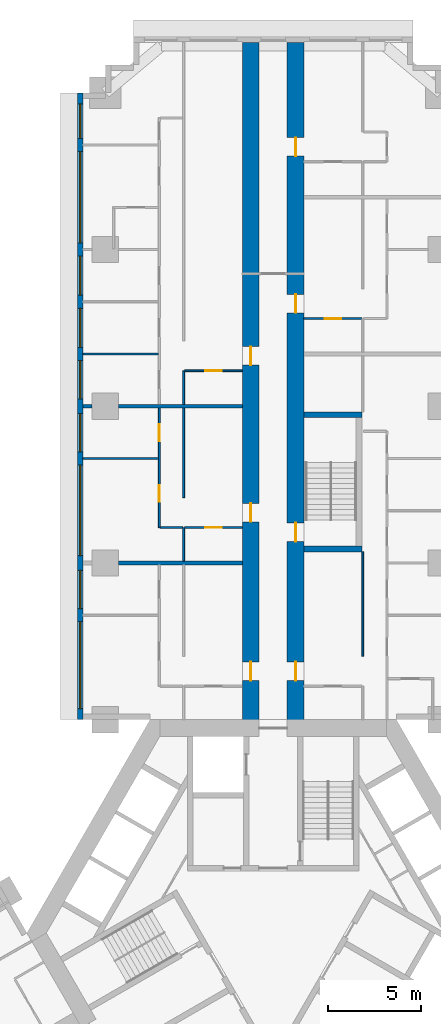
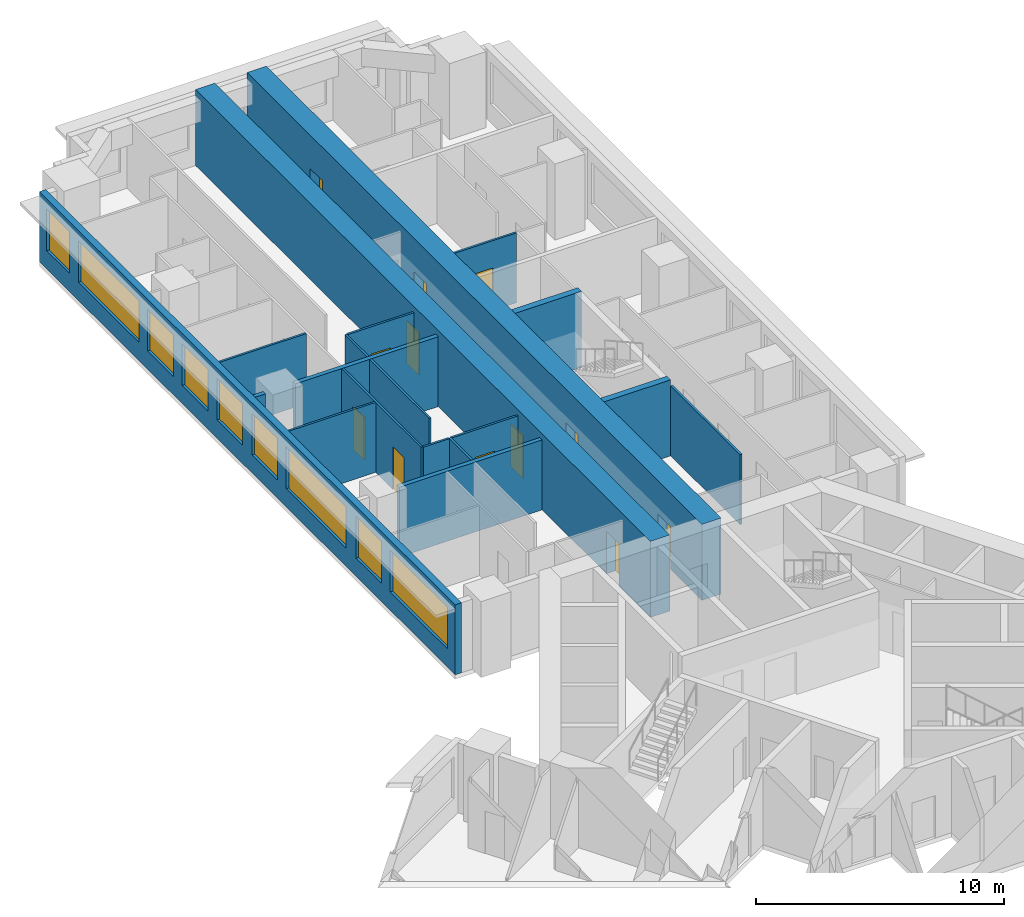
# One storey, part 8 of 14: 19 walls, 12 doors, 9 windows, 21 openings.
"""IFC4 building model written with IfcOpenShell, lengths in metres."""

from ifc_helpers import new_model, si_unit, direction, frame, frame_2d, origin, place, context, subcontext, project, spatial, rectangle, extrude, material, layer, layer_set, type_object, element, fill, save


model = new_model("IFC4")

# Units and contexts
model_context = context("Model", 3, precision=1e-05, world=origin(), true_north=direction((0.0, 1.0)))
body_context = subcontext(model_context, "Body", "Model", "MODEL_VIEW")
ifc_project = project(units=[si_unit("LENGTHUNIT", "METRE"), si_unit("AREAUNIT", "SQUARE_METRE"), si_unit("VOLUMEUNIT", "CUBIC_METRE"), si_unit("PLANEANGLEUNIT", "RADIAN"), si_unit("MASSUNIT", "GRAM", prefix="KILO")], contexts=[model_context])

# Site, building, storey
site_placement = place(None, origin())
site = spatial("IfcSite", under=ifc_project, at=site_placement, CompositionType="ELEMENT")
building_placement = place(site_placement, origin())
building = spatial("IfcBuilding", under=site, at=building_placement, Name="Impinga Residences", CompositionType="ELEMENT")
storey_placement = place(building_placement, frame((0.0, 0.0, 89.75)))
storey = spatial("IfcBuildingStorey", under=building, at=storey_placement, Name="L22", CompositionType="ELEMENT", Elevation=89.75)

# Wall, openings, doors
ifc_material_1 = material(Name="Concrete C70/85", Category="concrete")
ifc_layer_1 = layer(ifc_material_1, 0.89990234375)
ifc_layer_set_1 = layer_set([ifc_layer_1], Name="Concrete C70/85")
wall_type_1 = type_object("IfcWallType", Name="BW1 corridor buttress wall, L05 to L22 900", PredefinedType="SHEAR", material=ifc_layer_set_1)
wall_1_placement = place(storey_placement, frame((-1.199951171875, 10.9814453125, 0.0), z_axis=(0.0, 0.0, 1.0), x_axis=(0.0, 1.0, 0.0)))
wall_1 = element("IfcWall", 1, at=wall_1_placement, inside=storey, type_object=wall_type_1, Name="Corridor wall BW1 NC L22", PredefinedType="SHEAR", context=body_context, shape_type="SweptSolid", body=[
    extrude(rectangle(XDim=36.75, YDim=0.89990234375, at=frame_2d((18.375, 0.0))), origin(), (0.0, 0.0, 1.0), 3.75),
])
opening_1_placement = place(wall_1_placement, frame((2.550048828125, 0.0, 0.0)))
opening_1 = element("IfcOpeningElement", 2, at=opening_1_placement, cuts=wall_1, Name="Opening D1", PredefinedType="OPENING", context=body_context, shape_type="SweptSolid", body=[
    extrude(rectangle(XDim=1.0, YDim=2.10009765625, at=frame_2d((0.5, 1.050048828125))), frame((0.0, 0.4599609375, 0.0), z_axis=(0.0, -1.0, 0.0), x_axis=(1.0, 0.0, 0.0)), (0.0, 0.0, 1.0), 0.919921875),
])
opening_2_placement = place(wall_1_placement, frame((11.050048828125, 0.0, 0.0)))
opening_2 = element("IfcOpeningElement", 3, at=opening_2_placement, cuts=wall_1, Name="Opening D1", PredefinedType="OPENING", context=body_context, shape_type="SweptSolid", body=[
    extrude(rectangle(XDim=1.0, YDim=2.10009765625, at=frame_2d((0.5, 1.050048828125))), frame((0.0, 0.4599609375, 0.0), z_axis=(0.0, -1.0, 0.0), x_axis=(1.0, 0.0, 0.0)), (0.0, 0.0, 1.0), 0.919921875),
])
opening_3_placement = place(wall_1_placement, frame((19.449951171875, 0.0, 0.0)))
opening_3 = element("IfcOpeningElement", 4, at=opening_3_placement, cuts=wall_1, Name="Opening D1", PredefinedType="OPENING", context=body_context, shape_type="SweptSolid", body=[
    extrude(rectangle(XDim=1.0, YDim=2.10009765625, at=frame_2d((0.5, 1.050048828125))), frame((0.0, 0.4599609375, 0.0), z_axis=(0.0, -1.0, 0.0), x_axis=(1.0, 0.0, 0.0)), (0.0, 0.0, 1.0), 0.919921875),
])
ifc_material_2 = material(Name="Timber door set", Category="wood")
door_type_1 = type_object("IfcDoorType", Name="D1 apartment entrance door 1000x2100", OperationType="SINGLE_SWING_LEFT", PredefinedType="DOOR", material=ifc_material_2)
door_1_placement = place(opening_1_placement, origin())
door_1 = element("IfcDoor", 5, at=door_1_placement, inside=storey, type_object=door_type_1, Name="Apartment L22-NA1 entrance", OperationType="SINGLE_SWING_LEFT", OverallHeight=2.10009765625, OverallWidth=1.0, PredefinedType="DOOR", context=body_context, shape_type="SweptSolid", body=[
    extrude(rectangle(XDim=1.0, YDim=2.10009765625, at=frame_2d((0.5, 1.050048828125))), frame((0.0, 0.02490234375, 0.0), z_axis=(0.0, -1.0, 0.0), x_axis=(1.0, 0.0, 0.0)), (0.0, 0.0, 1.0), 0.050048828125),
])
fill(opening_1, door_1)
door_2_placement = place(opening_2_placement, origin())
door_2 = element("IfcDoor", 6, at=door_2_placement, inside=storey, type_object=door_type_1, Name="Apartment L22-NA2 entrance", OperationType="SINGLE_SWING_LEFT", OverallHeight=2.10009765625, OverallWidth=1.0, PredefinedType="DOOR", context=body_context, shape_type="SweptSolid", body=[
    extrude(rectangle(XDim=1.0, YDim=2.10009765625, at=frame_2d((0.5, 1.050048828125))), frame((0.0, 0.02490234375, 0.0), z_axis=(0.0, -1.0, 0.0), x_axis=(1.0, 0.0, 0.0)), (0.0, 0.0, 1.0), 0.050048828125),
])
fill(opening_2, door_2)
door_3_placement = place(opening_3_placement, origin())
door_3 = element("IfcDoor", 7, at=door_3_placement, inside=storey, type_object=door_type_1, Name="Apartment L22-NA3 entrance", OperationType="SINGLE_SWING_RIGHT", OverallHeight=2.10009765625, OverallWidth=1.0, PredefinedType="DOOR", context=body_context, shape_type="SweptSolid", body=[
    extrude(rectangle(XDim=1.0, YDim=2.10009765625, at=frame_2d((0.5, 1.050048828125))), frame((0.0, 0.02490234375, 0.0), z_axis=(0.0, -1.0, 0.0), x_axis=(1.0, 0.0, 0.0)), (0.0, 0.0, 1.0), 0.050048828125),
])
fill(opening_3, door_3)

wall_2_placement = place(storey_placement, frame((1.199951171875, 10.9814453125, 0.0), z_axis=(0.0, 0.0, 1.0), x_axis=(0.0, 1.0, 0.0)))
wall_2 = element("IfcWall", 8, at=wall_2_placement, inside=storey, type_object=wall_type_1, Name="Corridor wall BW1 ND L22", PredefinedType="SHEAR", context=body_context, shape_type="SweptSolid", body=[
    extrude(rectangle(XDim=36.75, YDim=0.89990234375, at=frame_2d((18.375, 0.0))), origin(), (0.0, 0.0, 1.0), 3.75),
])
opening_4_placement = place(wall_2_placement, frame((10.0, 0.0, 0.0)))
opening_4 = element("IfcOpeningElement", 9, at=opening_4_placement, cuts=wall_2, Name="Opening D5", PredefinedType="OPENING", context=body_context, shape_type="SweptSolid", body=[
    extrude(rectangle(XDim=1.0, YDim=2.10009765625, at=frame_2d((0.5, 1.050048828125))), frame((0.0, 0.4599609375, 0.0), z_axis=(0.0, -1.0, 0.0), x_axis=(1.0, 0.0, 0.0)), (0.0, 0.0, 1.0), 0.919921875),
])
opening_5_placement = place(wall_2_placement, frame((2.550048828125, 0.0, 0.0)))
opening_5 = element("IfcOpeningElement", 10, at=opening_5_placement, cuts=wall_2, Name="Opening D1", PredefinedType="OPENING", context=body_context, shape_type="SweptSolid", body=[
    extrude(rectangle(XDim=1.0, YDim=2.10009765625, at=frame_2d((0.5, 1.050048828125))), frame((0.0, 0.4599609375, 0.0), z_axis=(0.0, -1.0, 0.0), x_axis=(1.0, 0.0, 0.0)), (0.0, 0.0, 1.0), 0.919921875),
])
opening_6_placement = place(wall_2_placement, frame((22.25, 0.0, 0.0)))
opening_6 = element("IfcOpeningElement", 11, at=opening_6_placement, cuts=wall_2, Name="Opening D1", PredefinedType="OPENING", context=body_context, shape_type="SweptSolid", body=[
    extrude(rectangle(XDim=1.0, YDim=2.10009765625, at=frame_2d((0.5, 1.050048828125))), frame((0.0, 0.4599609375, 0.0), z_axis=(0.0, -1.0, 0.0), x_axis=(1.0, 0.0, 0.0)), (0.0, 0.0, 1.0), 0.919921875),
])
opening_7_placement = place(wall_2_placement, frame((30.64990234375, 0.0, 0.0)))
opening_7 = element("IfcOpeningElement", 12, at=opening_7_placement, cuts=wall_2, Name="Opening D1", PredefinedType="OPENING", context=body_context, shape_type="SweptSolid", body=[
    extrude(rectangle(XDim=1.0, YDim=2.10009765625, at=frame_2d((0.5, 1.050048828125))), frame((0.0, 0.4599609375, 0.0), z_axis=(0.0, -1.0, 0.0), x_axis=(1.0, 0.0, 0.0)), (0.0, 0.0, 1.0), 0.919921875),
])
door_4_placement = place(opening_5_placement, origin())
door_4 = element("IfcDoor", 13, at=door_4_placement, inside=storey, type_object=door_type_1, Name="Apartment L22-NF1 entrance", OperationType="SINGLE_SWING_LEFT", OverallHeight=2.10009765625, OverallWidth=1.0, PredefinedType="DOOR", context=body_context, shape_type="SweptSolid", body=[
    extrude(rectangle(XDim=1.0, YDim=2.10009765625, at=frame_2d((0.5, 1.050048828125))), frame((0.0, 0.02490234375, 0.0), z_axis=(0.0, -1.0, 0.0), x_axis=(1.0, 0.0, 0.0)), (0.0, 0.0, 1.0), 0.050048828125),
])
fill(opening_5, door_4)
door_5_placement = place(opening_6_placement, origin())
door_5 = element("IfcDoor", 14, at=door_5_placement, inside=storey, type_object=door_type_1, Name="Apartment L22-NF2 entrance", OperationType="SINGLE_SWING_RIGHT", OverallHeight=2.10009765625, OverallWidth=1.0, PredefinedType="DOOR", context=body_context, shape_type="SweptSolid", body=[
    extrude(rectangle(XDim=1.0, YDim=2.10009765625, at=frame_2d((0.5, 1.050048828125))), frame((0.0, 0.02490234375, 0.0), z_axis=(0.0, -1.0, 0.0), x_axis=(1.0, 0.0, 0.0)), (0.0, 0.0, 1.0), 0.050048828125),
])
fill(opening_6, door_5)
door_6_placement = place(opening_7_placement, origin())
door_6 = element("IfcDoor", 15, at=door_6_placement, inside=storey, type_object=door_type_1, Name="Apartment L22-NF3 entrance", OperationType="SINGLE_SWING_RIGHT", OverallHeight=2.10009765625, OverallWidth=1.0, PredefinedType="DOOR", context=body_context, shape_type="SweptSolid", body=[
    extrude(rectangle(XDim=1.0, YDim=2.10009765625, at=frame_2d((0.5, 1.050048828125))), frame((0.0, 0.02490234375, 0.0), z_axis=(0.0, -1.0, 0.0), x_axis=(1.0, 0.0, 0.0)), (0.0, 0.0, 1.0), 0.050048828125),
])
fill(opening_7, door_6)
door_type_2 = type_object("IfcDoorType", Name="D5 stair door 1000x2100", OperationType="SINGLE_SWING_LEFT", PredefinedType="DOOR", material=ifc_material_2)
door_7_placement = place(opening_4_placement, origin())
door_7 = element("IfcDoor", 16, at=door_7_placement, inside=storey, type_object=door_type_2, Name="Wing stair door N", OperationType="SINGLE_SWING_LEFT", OverallHeight=2.10009765625, OverallWidth=1.0, PredefinedType="DOOR", context=body_context, shape_type="SweptSolid", body=[
    extrude(rectangle(XDim=1.0, YDim=2.10009765625, at=frame_2d((0.5, 1.050048828125))), frame((0.0, 0.02490234375, 0.0), z_axis=(0.0, -1.0, 0.0), x_axis=(1.0, 0.0, 0.0)), (0.0, 0.0, 1.0), 0.050048828125),
])
fill(opening_4, door_7)

# Wall, openings, windows
ifc_material_3 = material(Name="Terracotta rainscreen on blockwork", Category="masonry")
ifc_layer_2 = layer(ifc_material_3, 0.300048828125)
ifc_layer_set_2 = layer_set([ifc_layer_2], Name="EW1 external wall, terracotta rainscreen on blockwork 300")
wall_type_2 = type_object("IfcWallType", Name="EW1 external wall, terracotta rainscreen on blockwork 300", PredefinedType="SOLIDWALL", material=ifc_layer_set_2)
wall_3_placement = place(storey_placement, frame((-10.35009765625, 11.431640625, 0.0), z_axis=(0.0, 0.0, 1.0), x_axis=(0.0, 1.0, 0.0)))
wall_3 = element("IfcWall", 17, at=wall_3_placement, inside=storey, type_object=wall_type_2, Name="External wall EW1 L22", PredefinedType="SOLIDWALL", context=body_context, shape_type="SweptSolid", body=[
    extrude(rectangle(XDim=33.599853515625, YDim=0.300048828125, at=frame_2d((16.7998046875, 0.0))), origin(), (0.0, 0.0, 1.0), 3.449951171875),
])
opening_8_placement = place(wall_3_placement, frame((0.60009765625, 0.0, 0.89990234375)))
opening_8 = element("IfcOpeningElement", 18, at=opening_8_placement, cuts=wall_3, Name="Opening W10", PredefinedType="OPENING", context=body_context, shape_type="SweptSolid", body=[
    extrude(rectangle(XDim=4.64990234375, YDim=2.050048828125, at=frame_2d((2.324951171875, 1.02490234375))), frame((0.0, 0.159912109375, 0.0), z_axis=(0.0, -1.0, 0.0), x_axis=(1.0, 0.0, 0.0)), (0.0, 0.0, 1.0), 0.320068359375),
])
opening_9_placement = place(wall_3_placement, frame((5.949951171875, 0.0, 0.89990234375)))
opening_9 = element("IfcOpeningElement", 19, at=opening_9_placement, cuts=wall_3, Name="Opening W14", PredefinedType="OPENING", context=body_context, shape_type="SweptSolid", body=[
    extrude(rectangle(XDim=2.050048828125, YDim=2.050048828125, at=frame_2d((1.02490234375, 1.02490234375))), frame((0.0, 0.159912109375, 0.0), z_axis=(0.0, -1.0, 0.0), x_axis=(1.0, 0.0, 0.0)), (0.0, 0.0, 1.0), 0.320068359375),
])
opening_10_placement = place(wall_3_placement, frame((8.800048828125, 0.0, 0.89990234375)))
opening_10 = element("IfcOpeningElement", 20, at=opening_10_placement, cuts=wall_3, Name="Opening W6", PredefinedType="OPENING", context=body_context, shape_type="SweptSolid", body=[
    extrude(rectangle(XDim=4.85009765625, YDim=2.050048828125, at=frame_2d((2.425048828125, 1.02490234375))), frame((0.0, 0.159912109375, 0.0), z_axis=(0.0, -1.0, 0.0), x_axis=(1.0, 0.0, 0.0)), (0.0, 0.0, 1.0), 0.320068359375),
])
opening_11_placement = place(wall_3_placement, frame((14.35009765625, 0.0, 0.89990234375)))
opening_11 = element("IfcOpeningElement", 21, at=opening_11_placement, cuts=wall_3, Name="Opening W14", PredefinedType="OPENING", context=body_context, shape_type="SweptSolid", body=[
    extrude(rectangle(XDim=2.050048828125, YDim=2.050048828125, at=frame_2d((1.02490234375, 1.02490234375))), frame((0.0, 0.159912109375, 0.0), z_axis=(0.0, -1.0, 0.0), x_axis=(1.0, 0.0, 0.0)), (0.0, 0.0, 1.0), 0.320068359375),
])
opening_12_placement = place(wall_3_placement, frame((17.199951171875, 0.0, 0.89990234375)))
opening_12 = element("IfcOpeningElement", 22, at=opening_12_placement, cuts=wall_3, Name="Opening W14", PredefinedType="OPENING", context=body_context, shape_type="SweptSolid", body=[
    extrude(rectangle(XDim=2.050048828125, YDim=2.050048828125, at=frame_2d((1.02490234375, 1.02490234375))), frame((0.0, 0.159912109375, 0.0), z_axis=(0.0, -1.0, 0.0), x_axis=(1.0, 0.0, 0.0)), (0.0, 0.0, 1.0), 0.320068359375),
])
opening_13_placement = place(wall_3_placement, frame((19.949951171875, 0.0, 0.89990234375)))
opening_13 = element("IfcOpeningElement", 23, at=opening_13_placement, cuts=wall_3, Name="Opening W9", PredefinedType="OPENING", context=body_context, shape_type="SweptSolid", body=[
    extrude(rectangle(XDim=2.10009765625, YDim=2.050048828125, at=frame_2d((1.050048828125, 1.02490234375))), frame((0.0, 0.159912109375, 0.0), z_axis=(0.0, -1.0, 0.0), x_axis=(1.0, 0.0, 0.0)), (0.0, 0.0, 1.0), 0.320068359375),
])
opening_14_placement = place(wall_3_placement, frame((22.75, 0.0, 0.89990234375)))
opening_14 = element("IfcOpeningElement", 24, at=opening_14_placement, cuts=wall_3, Name="Opening W9", PredefinedType="OPENING", context=body_context, shape_type="SweptSolid", body=[
    extrude(rectangle(XDim=2.10009765625, YDim=2.050048828125, at=frame_2d((1.050048828125, 1.02490234375))), frame((0.0, 0.159912109375, 0.0), z_axis=(0.0, -1.0, 0.0), x_axis=(1.0, 0.0, 0.0)), (0.0, 0.0, 1.0), 0.320068359375),
])
opening_15_placement = place(wall_3_placement, frame((25.550048828125, 0.0, 0.89990234375)))
opening_15 = element("IfcOpeningElement", 25, at=opening_15_placement, cuts=wall_3, Name="Opening W16", PredefinedType="OPENING", context=body_context, shape_type="SweptSolid", body=[
    extrude(rectangle(XDim=4.89990234375, YDim=2.050048828125, at=frame_2d((2.449951171875, 1.02490234375))), frame((0.0, 0.159912109375, 0.0), z_axis=(0.0, -1.0, 0.0), x_axis=(1.0, 0.0, 0.0)), (0.0, 0.0, 1.0), 0.320068359375),
])
opening_16_placement = place(wall_3_placement, frame((31.14990234375, 0.0, 0.89990234375)))
opening_16 = element("IfcOpeningElement", 26, at=opening_16_placement, cuts=wall_3, Name="Opening W15", PredefinedType="OPENING", context=body_context, shape_type="SweptSolid", body=[
    extrude(rectangle(XDim=1.85009765625, YDim=2.050048828125, at=frame_2d((0.925048828125, 1.02490234375))), frame((0.0, 0.159912109375, 0.0), z_axis=(0.0, -1.0, 0.0), x_axis=(1.0, 0.0, 0.0)), (0.0, 0.0, 1.0), 0.320068359375),
])
ifc_material_4 = material(Name="Aluminium window, clear double glazing", Category="aluminium")
window_type_1 = type_object("IfcWindowType", Name="W10 ribbon window 4650x2050", PartitioningType="SINGLE_PANEL", PredefinedType="WINDOW", material=ifc_material_4)
window_1_placement = place(opening_8_placement, origin())
window_1 = element("IfcWindow", 27, at=window_1_placement, inside=storey, type_object=window_type_1, Name="Window L22", OverallHeight=2.050048828125, OverallWidth=4.64990234375, PartitioningType="SINGLE_PANEL", PredefinedType="WINDOW", context=body_context, shape_type="SweptSolid", body=[
    extrude(rectangle(XDim=4.64990234375, YDim=2.050048828125, at=frame_2d((2.324951171875, 1.02490234375))), frame((0.0, 0.030029296875, 0.0), z_axis=(0.0, -1.0, 0.0), x_axis=(1.0, 0.0, 0.0)), (0.0, 0.0, 1.0), 0.06005859375),
])
fill(opening_8, window_1)
window_type_2 = type_object("IfcWindowType", Name="W14 ribbon window 2050x2050", PartitioningType="SINGLE_PANEL", PredefinedType="WINDOW", material=ifc_material_4)
window_2_placement = place(opening_9_placement, origin())
window_2 = element("IfcWindow", 28, at=window_2_placement, inside=storey, type_object=window_type_2, Name="Window L22", OverallHeight=2.050048828125, OverallWidth=2.050048828125, PartitioningType="SINGLE_PANEL", PredefinedType="WINDOW", context=body_context, shape_type="SweptSolid", body=[
    extrude(rectangle(XDim=2.050048828125, YDim=2.050048828125, at=frame_2d((1.02490234375, 1.02490234375))), frame((0.0, 0.030029296875, 0.0), z_axis=(0.0, -1.0, 0.0), x_axis=(1.0, 0.0, 0.0)), (0.0, 0.0, 1.0), 0.06005859375),
])
fill(opening_9, window_2)
window_3_placement = place(opening_11_placement, origin())
window_3 = element("IfcWindow", 29, at=window_3_placement, inside=storey, type_object=window_type_2, Name="Window L22", OverallHeight=2.050048828125, OverallWidth=2.050048828125, PartitioningType="SINGLE_PANEL", PredefinedType="WINDOW", context=body_context, shape_type="SweptSolid", body=[
    extrude(rectangle(XDim=2.050048828125, YDim=2.050048828125, at=frame_2d((1.02490234375, 1.02490234375))), frame((0.0, 0.030029296875, 0.0), z_axis=(0.0, -1.0, 0.0), x_axis=(1.0, 0.0, 0.0)), (0.0, 0.0, 1.0), 0.06005859375),
])
fill(opening_11, window_3)
window_4_placement = place(opening_12_placement, origin())
window_4 = element("IfcWindow", 30, at=window_4_placement, inside=storey, type_object=window_type_2, Name="Window L22", OverallHeight=2.050048828125, OverallWidth=2.050048828125, PartitioningType="SINGLE_PANEL", PredefinedType="WINDOW", context=body_context, shape_type="SweptSolid", body=[
    extrude(rectangle(XDim=2.050048828125, YDim=2.050048828125, at=frame_2d((1.02490234375, 1.02490234375))), frame((0.0, 0.030029296875, 0.0), z_axis=(0.0, -1.0, 0.0), x_axis=(1.0, 0.0, 0.0)), (0.0, 0.0, 1.0), 0.06005859375),
])
fill(opening_12, window_4)
window_type_3 = type_object("IfcWindowType", Name="W15 ribbon window 1850x2050", PartitioningType="SINGLE_PANEL", PredefinedType="WINDOW", material=ifc_material_4)
window_5_placement = place(opening_16_placement, origin())
window_5 = element("IfcWindow", 31, at=window_5_placement, inside=storey, type_object=window_type_3, Name="Window L22", OverallHeight=2.050048828125, OverallWidth=1.85009765625, PartitioningType="SINGLE_PANEL", PredefinedType="WINDOW", context=body_context, shape_type="SweptSolid", body=[
    extrude(rectangle(XDim=1.85009765625, YDim=2.050048828125, at=frame_2d((0.925048828125, 1.02490234375))), frame((0.0, 0.030029296875, 0.0), z_axis=(0.0, -1.0, 0.0), x_axis=(1.0, 0.0, 0.0)), (0.0, 0.0, 1.0), 0.06005859375),
])
fill(opening_16, window_5)
window_type_4 = type_object("IfcWindowType", Name="W16 ribbon window 4900x2050", PartitioningType="SINGLE_PANEL", PredefinedType="WINDOW", material=ifc_material_4)
window_6_placement = place(opening_15_placement, origin())
window_6 = element("IfcWindow", 32, at=window_6_placement, inside=storey, type_object=window_type_4, Name="Window L22", OverallHeight=2.050048828125, OverallWidth=4.89990234375, PartitioningType="SINGLE_PANEL", PredefinedType="WINDOW", context=body_context, shape_type="SweptSolid", body=[
    extrude(rectangle(XDim=4.89990234375, YDim=2.050048828125, at=frame_2d((2.449951171875, 1.02490234375))), frame((0.0, 0.030029296875, 0.0), z_axis=(0.0, -1.0, 0.0), x_axis=(1.0, 0.0, 0.0)), (0.0, 0.0, 1.0), 0.06005859375),
])
fill(opening_15, window_6)
window_type_5 = type_object("IfcWindowType", Name="W6 ribbon window 4850x2050", PartitioningType="SINGLE_PANEL", PredefinedType="WINDOW", material=ifc_material_4)
window_7_placement = place(opening_10_placement, origin())
window_7 = element("IfcWindow", 33, at=window_7_placement, inside=storey, type_object=window_type_5, Name="Window L22", OverallHeight=2.050048828125, OverallWidth=4.85009765625, PartitioningType="SINGLE_PANEL", PredefinedType="WINDOW", context=body_context, shape_type="SweptSolid", body=[
    extrude(rectangle(XDim=4.85009765625, YDim=2.050048828125, at=frame_2d((2.425048828125, 1.02490234375))), frame((0.0, 0.030029296875, 0.0), z_axis=(0.0, -1.0, 0.0), x_axis=(1.0, 0.0, 0.0)), (0.0, 0.0, 1.0), 0.06005859375),
])
fill(opening_10, window_7)
window_type_6 = type_object("IfcWindowType", Name="W9 ribbon window 2100x2050", PartitioningType="SINGLE_PANEL", PredefinedType="WINDOW", material=ifc_material_4)
window_8_placement = place(opening_13_placement, origin())
window_8 = element("IfcWindow", 34, at=window_8_placement, inside=storey, type_object=window_type_6, Name="Window L22", OverallHeight=2.050048828125, OverallWidth=2.10009765625, PartitioningType="SINGLE_PANEL", PredefinedType="WINDOW", context=body_context, shape_type="SweptSolid", body=[
    extrude(rectangle(XDim=2.10009765625, YDim=2.050048828125, at=frame_2d((1.050048828125, 1.02490234375))), frame((0.0, 0.030029296875, 0.0), z_axis=(0.0, -1.0, 0.0), x_axis=(1.0, 0.0, 0.0)), (0.0, 0.0, 1.0), 0.06005859375),
])
fill(opening_13, window_8)
window_9_placement = place(opening_14_placement, origin())
window_9 = element("IfcWindow", 35, at=window_9_placement, inside=storey, type_object=window_type_6, Name="Window L22", OverallHeight=2.050048828125, OverallWidth=2.10009765625, PartitioningType="SINGLE_PANEL", PredefinedType="WINDOW", context=body_context, shape_type="SweptSolid", body=[
    extrude(rectangle(XDim=2.10009765625, YDim=2.050048828125, at=frame_2d((1.050048828125, 1.02490234375))), frame((0.0, 0.030029296875, 0.0), z_axis=(0.0, -1.0, 0.0), x_axis=(1.0, 0.0, 0.0)), (0.0, 0.0, 1.0), 0.06005859375),
])
fill(opening_14, window_9)

# Walls
ifc_material_5 = material(Name="Gypsum board on steel studs", Category="steel")
ifc_layer_3 = layer(ifc_material_5, 0.10009765625)
ifc_layer_set_3 = layer_set([ifc_layer_3], Name="Gypsum board on steel studs")
wall_type_3 = type_object("IfcWallType", Name="IP1 partition 100", PredefinedType="PARTITIONING", material=ifc_layer_set_3)
wall_4_placement = place(storey_placement, frame((-4.800048828125, 19.931640625, 0.0), z_axis=(0.0, 0.0, 1.0), x_axis=(0.0, 1.0, 0.0)))
element("IfcWall", 36, at=wall_4_placement, inside=storey, type_object=wall_type_3, Name="Partition L22-NA2:DIV0", PredefinedType="PARTITIONING", context=body_context, shape_type="SweptSolid", body=[
    extrude(rectangle(XDim=1.7998046875, YDim=0.10009765625, at=frame_2d((0.89990234375, 0.0))), origin(), (0.0, 0.0, 1.0), 3.449951171875),
])
wall_5_placement = place(storey_placement, frame((-4.800048828125, 23.33154296875, 0.0), z_axis=(0.0, 0.0, 1.0), x_axis=(0.0, 1.0, 0.0)))
element("IfcWall", 37, at=wall_5_placement, inside=storey, type_object=wall_type_3, Name="Partition L22-NA2:DIV1", PredefinedType="PARTITIONING", context=body_context, shape_type="SweptSolid", body=[
    extrude(rectangle(XDim=4.800048828125, YDim=0.10009765625, at=frame_2d((2.39990234375, 0.0))), origin(), (0.0, 0.0, 1.0), 3.449951171875),
])

# Wall, openings, doors
wall_6_placement = place(storey_placement, frame((-6.10009765625, 21.7314453125, 0.0), z_axis=(0.0, 0.0, 1.0), x_axis=(0.0, 1.0, 0.0)))
wall_6 = element("IfcWall", 38, at=wall_6_placement, inside=storey, type_object=wall_type_3, Name="Partition L22-NA2:STRIP", PredefinedType="PARTITIONING", context=body_context, shape_type="SweptSolid", body=[
    extrude(rectangle(XDim=6.400146484375, YDim=0.10009765625, at=frame_2d((3.2001953125, 0.0))), origin(), (0.0, 0.0, 1.0), 3.449951171875),
])
opening_17_placement = place(wall_6_placement, frame((1.375, 0.0, 0.0)))
opening_17 = element("IfcOpeningElement", 39, at=opening_17_placement, cuts=wall_6, Name="Opening D2", PredefinedType="OPENING", context=body_context, shape_type="SweptSolid", body=[
    extrude(rectangle(XDim=0.89990234375, YDim=2.10009765625, at=frame_2d((0.449951171875, 1.050048828125))), frame((0.0, 0.06005859375, 0.0), z_axis=(0.0, -1.0, 0.0), x_axis=(1.0, 0.0, 0.0)), (0.0, 0.0, 1.0), 0.1201171875),
])
opening_18_placement = place(wall_6_placement, frame((4.625, 0.0, 0.0)))
opening_18 = element("IfcOpeningElement", 40, at=opening_18_placement, cuts=wall_6, Name="Opening D2", PredefinedType="OPENING", context=body_context, shape_type="SweptSolid", body=[
    extrude(rectangle(XDim=0.89990234375, YDim=2.10009765625, at=frame_2d((0.449951171875, 1.050048828125))), frame((0.0, 0.06005859375, 0.0), z_axis=(0.0, -1.0, 0.0), x_axis=(1.0, 0.0, 0.0)), (0.0, 0.0, 1.0), 0.1201171875),
])
door_type_3 = type_object("IfcDoorType", Name="D2 internal door 900x2100", OperationType="SINGLE_SWING_LEFT", PredefinedType="DOOR", material=ifc_material_2)
door_8_placement = place(opening_17_placement, origin())
door_8 = element("IfcDoor", 41, at=door_8_placement, inside=storey, type_object=door_type_3, Name="Apartment L22-NA2 room door", OperationType="SINGLE_SWING_LEFT", OverallHeight=2.10009765625, OverallWidth=0.89990234375, PredefinedType="DOOR", context=body_context, shape_type="SweptSolid", body=[
    extrude(rectangle(XDim=0.89990234375, YDim=2.10009765625, at=frame_2d((0.449951171875, 1.050048828125))), frame((0.0, 0.02490234375, 0.0), z_axis=(0.0, -1.0, 0.0), x_axis=(1.0, 0.0, 0.0)), (0.0, 0.0, 1.0), 0.050048828125),
])
fill(opening_17, door_8)
door_9_placement = place(opening_18_placement, origin())
door_9 = element("IfcDoor", 42, at=door_9_placement, inside=storey, type_object=door_type_3, Name="Apartment L22-NA2 room door", OperationType="SINGLE_SWING_RIGHT", OverallHeight=2.10009765625, OverallWidth=0.89990234375, PredefinedType="DOOR", context=body_context, shape_type="SweptSolid", body=[
    extrude(rectangle(XDim=0.89990234375, YDim=2.10009765625, at=frame_2d((0.449951171875, 1.050048828125))), frame((0.0, 0.02490234375, 0.0), z_axis=(0.0, -1.0, 0.0), x_axis=(1.0, 0.0, 0.0)), (0.0, 0.0, 1.0), 0.050048828125),
])
fill(opening_18, door_9)

# Wall
wall_7_placement = place(storey_placement, frame((-4.85009765625, 21.7314453125, 0.0), z_axis=(0.0, 0.0, 1.0), x_axis=(-1.0, 0.0, 0.0)))
element("IfcWall", 43, at=wall_7_placement, inside=storey, type_object=wall_type_3, Name="Partition L22-NA2:SE0", PredefinedType="PARTITIONING", context=body_context, shape_type="SweptSolid", body=[
    extrude(rectangle(XDim=1.199951171875, YDim=0.10009765625, at=frame_2d((0.60009765625, 0.0))), origin(), (0.0, 0.0, 1.0), 3.449951171875),
])

# Wall, opening, door
wall_8_placement = place(storey_placement, frame((-1.64990234375, 21.7314453125, 0.0), z_axis=(0.0, 0.0, 1.0), x_axis=(-1.0, 0.0, 0.0)))
wall_8 = element("IfcWall", 44, at=wall_8_placement, inside=storey, type_object=wall_type_3, Name="Partition L22-NA2:IB1", PredefinedType="PARTITIONING", context=body_context, shape_type="SweptSolid", body=[
    extrude(rectangle(XDim=3.10009765625, YDim=0.10009765625, at=frame_2d((1.550048828125, 0.0))), origin(), (0.0, 0.0, 1.0), 3.449951171875),
])
opening_19_placement = place(wall_8_placement, frame((1.10009765625, 0.0, 0.0)))
opening_19 = element("IfcOpeningElement", 45, at=opening_19_placement, cuts=wall_8, Name="Opening D2", PredefinedType="OPENING", context=body_context, shape_type="SweptSolid", body=[
    extrude(rectangle(XDim=0.89990234375, YDim=2.10009765625, at=frame_2d((0.449951171875, 1.050048828125))), frame((0.0, 0.06005859375, 0.0), z_axis=(0.0, -1.0, 0.0), x_axis=(1.0, 0.0, 0.0)), (0.0, 0.0, 1.0), 0.1201171875),
])
door_10_placement = place(opening_19_placement, origin())
door_10 = element("IfcDoor", 46, at=door_10_placement, inside=storey, type_object=door_type_3, Name="Apartment L22-NA2 bathroom door", OperationType="SINGLE_SWING_LEFT", OverallHeight=2.10009765625, OverallWidth=0.89990234375, PredefinedType="DOOR", context=body_context, shape_type="SweptSolid", body=[
    extrude(rectangle(XDim=0.89990234375, YDim=2.10009765625, at=frame_2d((0.449951171875, 1.050048828125))), frame((0.0, 0.02490234375, 0.0), z_axis=(0.0, -1.0, 0.0), x_axis=(1.0, 0.0, 0.0)), (0.0, 0.0, 1.0), 0.050048828125),
])
fill(opening_19, door_10)

# Walls
wall_9_placement = place(storey_placement, frame((-6.14990234375, 25.431640625, 0.0), z_axis=(0.0, 0.0, 1.0), x_axis=(-1.0, 0.0, 0.0)))
element("IfcWall", 47, at=wall_9_placement, inside=storey, type_object=wall_type_3, Name="Partition L22-NA2:OB1", PredefinedType="PARTITIONING", context=body_context, shape_type="SweptSolid", body=[
    extrude(rectangle(XDim=4.050048828125, YDim=0.10009765625, at=frame_2d((2.02490234375, 0.0))), origin(), (0.0, 0.0, 1.0), 3.449951171875),
])
wall_10_placement = place(storey_placement, frame((-4.800048828125, 28.33154296875, 0.0), z_axis=(0.0, 0.0, 1.0), x_axis=(0.0, 1.0, 0.0)))
element("IfcWall", 48, at=wall_10_placement, inside=storey, type_object=wall_type_3, Name="Partition L22-NA3:DIV0", PredefinedType="PARTITIONING", context=body_context, shape_type="SweptSolid", body=[
    extrude(rectangle(XDim=1.800048828125, YDim=0.10009765625, at=frame_2d((0.89990234375, 0.0))), origin(), (0.0, 0.0, 1.0), 3.449951171875),
])

# Wall, opening, door
wall_11_placement = place(storey_placement, frame((-1.64990234375, 30.131591796875, 0.0), z_axis=(0.0, 0.0, 1.0), x_axis=(-1.0, 0.0, 0.0)))
wall_11 = element("IfcWall", 49, at=wall_11_placement, inside=storey, type_object=wall_type_3, Name="Partition L22-NA3:IB1", PredefinedType="PARTITIONING", context=body_context, shape_type="SweptSolid", body=[
    extrude(rectangle(XDim=3.10009765625, YDim=0.10009765625, at=frame_2d((1.550048828125, 0.0))), origin(), (0.0, 0.0, 1.0), 3.449951171875),
])
opening_20_placement = place(wall_11_placement, frame((1.10009765625, 0.0, 0.0)))
opening_20 = element("IfcOpeningElement", 50, at=opening_20_placement, cuts=wall_11, Name="Opening D2", PredefinedType="OPENING", context=body_context, shape_type="SweptSolid", body=[
    extrude(rectangle(XDim=0.89990234375, YDim=2.10009765625, at=frame_2d((0.449951171875, 1.050048828125))), frame((0.0, 0.06005859375, 0.0), z_axis=(0.0, -1.0, 0.0), x_axis=(1.0, 0.0, 0.0)), (0.0, 0.0, 1.0), 0.1201171875),
])
door_11_placement = place(opening_20_placement, origin())
door_11 = element("IfcDoor", 51, at=door_11_placement, inside=storey, type_object=door_type_3, Name="Apartment L22-NA3 bathroom door", OperationType="SINGLE_SWING_LEFT", OverallHeight=2.10009765625, OverallWidth=0.89990234375, PredefinedType="DOOR", context=body_context, shape_type="SweptSolid", body=[
    extrude(rectangle(XDim=0.89990234375, YDim=2.10009765625, at=frame_2d((0.449951171875, 1.050048828125))), frame((0.0, 0.02490234375, 0.0), z_axis=(0.0, -1.0, 0.0), x_axis=(1.0, 0.0, 0.0)), (0.0, 0.0, 1.0), 0.050048828125),
])
fill(opening_20, door_11)

# Walls
wall_12_placement = place(storey_placement, frame((-6.14990234375, 31.031494140625, 0.0), z_axis=(0.0, 0.0, 1.0), x_axis=(-1.0, 0.0, 0.0)))
element("IfcWall", 52, at=wall_12_placement, inside=storey, type_object=wall_type_3, Name="Partition L22-NA3:OB1", PredefinedType="PARTITIONING", context=body_context, shape_type="SweptSolid", body=[
    extrude(rectangle(XDim=4.050048828125, YDim=0.10009765625, at=frame_2d((2.02490234375, 0.0))), origin(), (0.0, 0.0, 1.0), 3.449951171875),
])
wall_13_placement = place(storey_placement, frame((4.800048828125, 14.83154296875, 0.0), z_axis=(0.0, 0.0, 1.0), x_axis=(0.0, 1.0, 0.0)))
element("IfcWall", 53, at=wall_13_placement, inside=storey, type_object=wall_type_3, Name="Partition L22-NF1:DIV1", PredefinedType="PARTITIONING", context=body_context, shape_type="SweptSolid", body=[
    extrude(rectangle(XDim=5.60009765625, YDim=0.10009765625, at=frame_2d((2.800048828125, 0.0))), origin(), (0.0, 0.0, 1.0), 3.449951171875),
])

# Wall, opening, door
wall_14_placement = place(storey_placement, frame((1.64990234375, 32.931640625, 0.0), z_axis=(0.0, 0.0, 1.0), x_axis=(1.0, 0.0, 0.0)))
wall_14 = element("IfcWall", 54, at=wall_14_placement, inside=storey, type_object=wall_type_3, Name="Partition L22-NF2:IB1", PredefinedType="PARTITIONING", context=body_context, shape_type="SweptSolid", body=[
    extrude(rectangle(XDim=3.10009765625, YDim=0.10009765625, at=frame_2d((1.550048828125, 0.0))), origin(), (0.0, 0.0, 1.0), 3.449951171875),
])
opening_21_placement = place(wall_14_placement, frame((1.10009765625, 0.0, 0.0)))
opening_21 = element("IfcOpeningElement", 55, at=opening_21_placement, cuts=wall_14, Name="Opening D2", PredefinedType="OPENING", context=body_context, shape_type="SweptSolid", body=[
    extrude(rectangle(XDim=0.89990234375, YDim=2.10009765625, at=frame_2d((0.449951171875, 1.050048828125))), frame((0.0, 0.06005859375, 0.0), z_axis=(0.0, -1.0, 0.0), x_axis=(1.0, 0.0, 0.0)), (0.0, 0.0, 1.0), 0.1201171875),
])
door_12_placement = place(opening_21_placement, origin())
door_12 = element("IfcDoor", 56, at=door_12_placement, inside=storey, type_object=door_type_3, Name="Apartment L22-NF2 bathroom door", OperationType="SINGLE_SWING_LEFT", OverallHeight=2.10009765625, OverallWidth=0.89990234375, PredefinedType="DOOR", context=body_context, shape_type="SweptSolid", body=[
    extrude(rectangle(XDim=0.89990234375, YDim=2.10009765625, at=frame_2d((0.449951171875, 1.050048828125))), frame((0.0, 0.02490234375, 0.0), z_axis=(0.0, -1.0, 0.0), x_axis=(1.0, 0.0, 0.0)), (0.0, 0.0, 1.0), 0.050048828125),
])
fill(opening_21, door_12)

# Walls
ifc_material_6 = material(Name="Concrete blockwork", Category="masonry")
ifc_layer_4 = layer(ifc_material_6, 0.199951171875)
ifc_layer_set_4 = layer_set([ifc_layer_4], Name="PW1 party wall between apartments 200")
wall_type_4 = type_object("IfcWallType", Name="PW1 party wall between apartments 200", PredefinedType="SOLIDWALL", material=ifc_layer_set_4)
for number, where, z_axis, x_axis, name in (
    (57, (-1.64990234375, 19.83154296875, 0.0), (0.0, 0.0, 1.0), (-1.0, 0.0, 0.0), "Party wall between apartments L22-NA1:PARTY"),
    (58, (-1.64990234375, 28.2314453125, 0.0), (0.0, 0.0, 1.0), (-1.0, 0.0, 0.0), "Party wall between apartments L22-NA2:PARTY"),
):
    element("IfcWall", number, at=place(storey_placement, frame(where, z_axis=z_axis, x_axis=x_axis)), inside=storey, type_object=wall_type_4, Name=name, PredefinedType="SOLIDWALL", context=body_context, shape_type="SweptSolid", body=[
        extrude(rectangle(XDim=6.650146484375, YDim=0.199951171875, at=frame_2d((3.3251953125, 0.0))), origin(), (0.0, 0.0, 1.0), 3.449951171875),
    ])
wall_15_placement = place(storey_placement, frame((-9.699951171875, 28.2314453125, 0.0), z_axis=(0.0, 0.0, 1.0), x_axis=(-1.0, 0.0, 0.0)))
element("IfcWall", 59, at=wall_15_placement, inside=storey, type_object=wall_type_4, Name="Party wall between apartments L22-NA2:PARTYb", PredefinedType="SOLIDWALL", context=body_context, shape_type="SweptSolid", body=[
    extrude(rectangle(XDim=0.5, YDim=0.199951171875, at=frame_2d((0.25, 0.0))), origin(), (0.0, 0.0, 1.0), 3.449951171875),
])
ifc_material_7 = material(Name="Concrete C60/75", Category="concrete")
ifc_layer_5 = layer(ifc_material_7, 0.300048828125)
ifc_layer_set_5 = layer_set([ifc_layer_5], Name="Concrete C60/75")
wall_type_5 = type_object("IfcWallType", Name="SE1 wing stair enclosure wall 300", PredefinedType="SOLIDWALL", material=ifc_layer_set_5)
for number, where, z_axis, x_axis, name in (
    (60, (1.64990234375, 20.58154296875, 0.0), (0.0, 0.0, 1.0), (1.0, 0.0, 0.0), "Stair enclosure wall SE1 N END0 L22"),
    (61, (1.64990234375, 27.781494140625, 0.0), (0.0, 0.0, 1.0), (1.0, 0.0, 0.0), "Stair enclosure wall SE1 N END1 L22"),
):
    element("IfcWall", number, at=place(storey_placement, frame(where, z_axis=z_axis, x_axis=x_axis)), inside=storey, type_object=wall_type_5, Name=name, PredefinedType="SOLIDWALL", context=body_context, shape_type="SweptSolid", body=[
        extrude(rectangle(XDim=3.10009765625, YDim=0.300048828125, at=frame_2d((1.550048828125, 0.0))), origin(), (0.0, 0.0, 1.0), 3.75),
    ])

save(model, "model.ifc")
